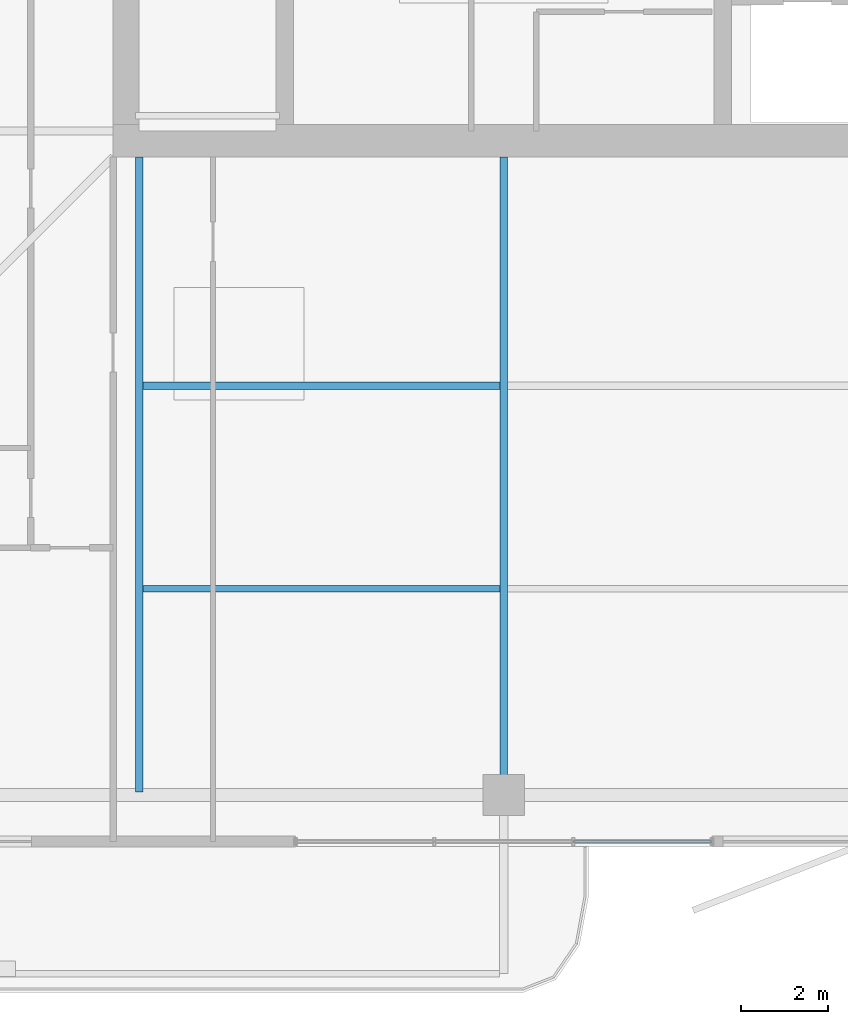
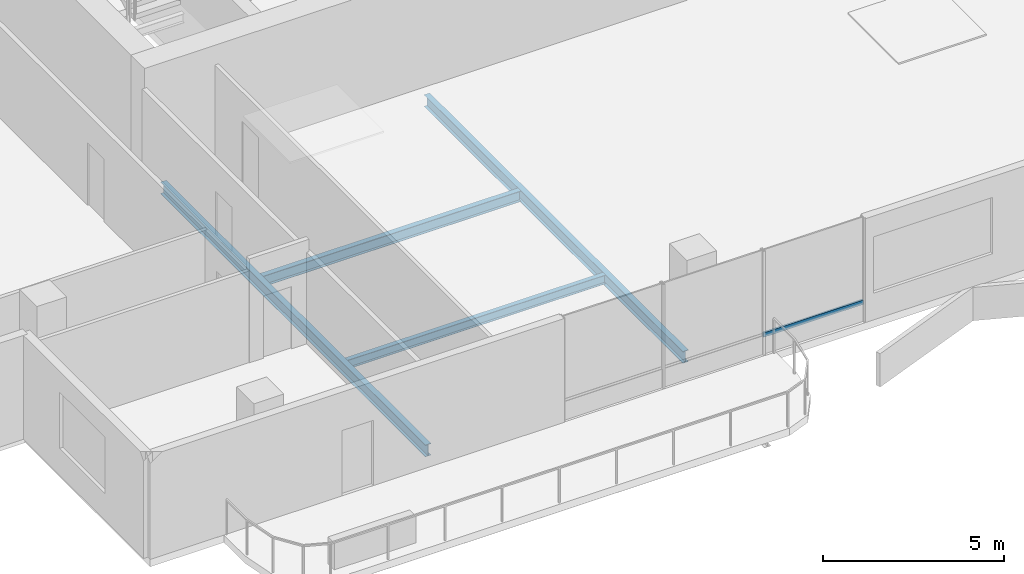
# One storey, part 3 of 25: 4 beams, 1 member, 1 element without a shape of its own.
"""IFC4 building model written with IfcOpenShell, lengths in metres."""

from ifc_helpers import new_model, si_unit, direction, frame, origin, origin_2d, place, context, subcontext, project, spatial, hollow_rectangle, i_section, extrude, material, layer, layer_set, material_profile, profile_set, type_object, element, aggregate, save


model = new_model("IFC4")

# Units and contexts
model_context = context("Model", 3, precision=1e-05, world=origin(), true_north=direction((0.0, 1.0)))
body_context = subcontext(model_context, "Body", "Model", "MODEL_VIEW")
ifc_project = project(units=[si_unit("LENGTHUNIT", "METRE"), si_unit("AREAUNIT", "SQUARE_METRE"), si_unit("VOLUMEUNIT", "CUBIC_METRE"), si_unit("PLANEANGLEUNIT", "RADIAN"), si_unit("MASSUNIT", "GRAM", prefix="KILO")], contexts=[model_context])

# Site, building, storey
site_placement = place(None, origin())
site = spatial("IfcSite", under=ifc_project, at=site_placement, CompositionType="ELEMENT")
building_placement = place(site_placement, origin())
building = spatial("IfcBuilding", under=site, at=building_placement, Name="Belovzor Exchange Tower", CompositionType="ELEMENT")
storey_placement = place(building_placement, frame((0.0, 0.0, 254.10009765625)))
storey = spatial("IfcBuildingStorey", under=building, at=storey_placement, Name="L63", CompositionType="ELEMENT", Elevation=254.10009765625)

# Beams
ifc_material_1 = material(Name="Steel S355", Category="steel")
ifc_material_profile_1 = material_profile(ifc_material_1, i_section(OverallWidth=0.169921875, OverallDepth=0.360107421875, WebThickness=0.008056640625, FlangeThickness=0.0126953125, at=origin_2d()))
ifc_profile_set_1 = profile_set([ifc_material_profile_1], Name="Steel S355")
beam_type_1 = type_object("IfcBeamType", Name="Secondary Infill Floor Joist IPE 360", PredefinedType="BEAM", material=ifc_profile_set_1)
beam_1_placement = place(storey_placement, frame((20.489990234375, 14.534912109375, -0.43017578125), z_axis=(1.0, 0.0, 0.0), x_axis=(0.0, 1.0, 0.0)))
element("IfcBeam", 1, at=beam_1_placement, inside=storey, type_object=beam_type_1, Name="FJ-360 Secondary Infill Floor Joist IPE 360", PredefinedType="BEAM", context=body_context, shape_type="SweptSolid", body=[
    extrude(i_section(OverallWidth=0.169921875, OverallDepth=0.360107421875, WebThickness=0.008056640625, FlangeThickness=0.0126953125, at=origin_2d()), origin(), (0.0, 0.0, 1.0), 8.219970703125),
])
ifc_material_2 = material(Name="Steel S355", Category="steel")
ifc_material_profile_2 = material_profile(ifc_material_2, i_section(OverallWidth=0.14990234375, OverallDepth=0.300048828125, WebThickness=0.007080078125, FlangeThickness=0.0107421875, at=origin_2d()))
ifc_profile_set_2 = profile_set([ifc_material_profile_2], Name="Steel S355")
beam_type_2 = type_object("IfcBeamType", Name="Secondary Trim Floor Joist IPE 300", PredefinedType="BEAM", material=ifc_profile_set_2)
beam_2_placement = place(storey_placement, frame((20.489990234375, 9.85498046875, -0.400146484375), z_axis=(1.0, 0.0, 0.0), x_axis=(0.0, 1.0, 0.0)))
element("IfcBeam", 2, at=beam_2_placement, inside=storey, type_object=beam_type_2, Name="FJ-300 Secondary Trim Floor Joist IPE 300", PredefinedType="BEAM", context=body_context, shape_type="SweptSolid", body=[
    extrude(i_section(OverallWidth=0.14990234375, OverallDepth=0.300048828125, WebThickness=0.007080078125, FlangeThickness=0.0107421875, at=origin_2d()), origin(), (0.0, 0.0, 1.0), 8.219970703125),
])

# Curtain wall, member
ifc_material_3 = material(Name="Anodised Aluminium Framing", Category="aluminium")
ifc_layer = layer(ifc_material_3, 0.179931640625)
ifc_layer_set = layer_set([ifc_layer], Name="Anodised Aluminium Framing")
curtain_wall_type = type_object("IfcCurtainWallType", Name="Recessed Loggia Low-Iron Triple-Glazed Curtain Wall", PredefinedType="NOTDEFINED", material=ifc_layer_set)
curtain_wall_placement = place(storey_placement, origin())
curtain_wall = element("IfcCurtainWall", 3, at=curtain_wall_placement, inside=storey, type_object=curtain_wall_type, Name="CW3 Recessed Loggia Low-Iron Triple-Glazed Curtain Wall L63", PredefinedType="NOTDEFINED")
ifc_material_4 = material(Name="Steel S355", Category="steel")
ifc_material_profile_3 = material_profile(ifc_material_4, hollow_rectangle(XDim=0.06005859375, YDim=0.14990234375, WallThickness=0.00390625, at=origin_2d()))
ifc_profile_set_3 = profile_set([ifc_material_profile_3], Name="Steel S355")
member_type = type_object("IfcMemberType", Name="Thermally Broken Curtain Wall Transom 150x60", PredefinedType="USERDEFINED", material=ifc_profile_set_3)
member_placement = place(storey_placement, frame((33.592041015625, 4.030029296875, 0.6298828125), z_axis=(-1.0, 0.0, 0.0), x_axis=(0.0, -1.0, 0.0)))
member = element("IfcMember", 4, at=member_placement, type_object=member_type, Name="CW-T150 Curtain Wall Transom 1", ObjectType="TRANSOM", PredefinedType="USERDEFINED", context=body_context, shape_type="SweptSolid", body=[
    extrude(hollow_rectangle(XDim=0.06005859375, YDim=0.14990234375, WallThickness=0.00390625, at=origin_2d()), origin(), (0.0, 0.0, 1.0), 3.18408203125),
])
aggregate(curtain_wall, [member])

# Beams
ifc_material_5 = material(Name="Steel S355", Category="steel")
ifc_material_profile_4 = material_profile(ifc_material_5, i_section(OverallWidth=0.179931640625, OverallDepth=0.39990234375, WebThickness=0.008544921875, FlangeThickness=0.013427734375, at=origin_2d()))
ifc_profile_set_4 = profile_set([ifc_material_profile_4], Name="Steel S355")
beam_type_3 = type_object("IfcBeamType", Name="Zone 5-6 Radial Composite Floor Beam IPE 400", PredefinedType="BEAM", material=ifc_profile_set_4)
beam_3_placement = place(storey_placement, frame((20.39990234375, 19.800048828125, -0.4501953125), z_axis=(0.0, -1.0, 0.0), x_axis=(1.0, 0.0, 0.0)))
element("IfcBeam", 5, at=beam_3_placement, inside=storey, type_object=beam_type_3, Name="FB-400 Zone 5-6 Radial Composite Floor Beam IPE 400", PredefinedType="BEAM", context=body_context, shape_type="SweptSolid", body=[
    extrude(i_section(OverallWidth=0.179931640625, OverallDepth=0.39990234375, WebThickness=0.008544921875, FlangeThickness=0.013427734375, at=origin_2d()), origin(), (0.0, 0.0, 1.0), 14.625),
])
beam_4_placement = place(storey_placement, frame((28.800048828125, 19.800048828125, -0.4501953125), z_axis=(0.0, -1.0, 0.0), x_axis=(1.0, 0.0, 0.0)))
element("IfcBeam", 6, at=beam_4_placement, inside=storey, type_object=beam_type_3, Name="FB-400 Zone 5-6 Radial Composite Floor Beam IPE 400", PredefinedType="BEAM", context=body_context, shape_type="SweptSolid", body=[
    extrude(i_section(OverallWidth=0.179931640625, OverallDepth=0.39990234375, WebThickness=0.008544921875, FlangeThickness=0.013427734375, at=origin_2d()), origin(), (0.0, 0.0, 1.0), 14.281982421875),
])

save(model, "model.ifc")
